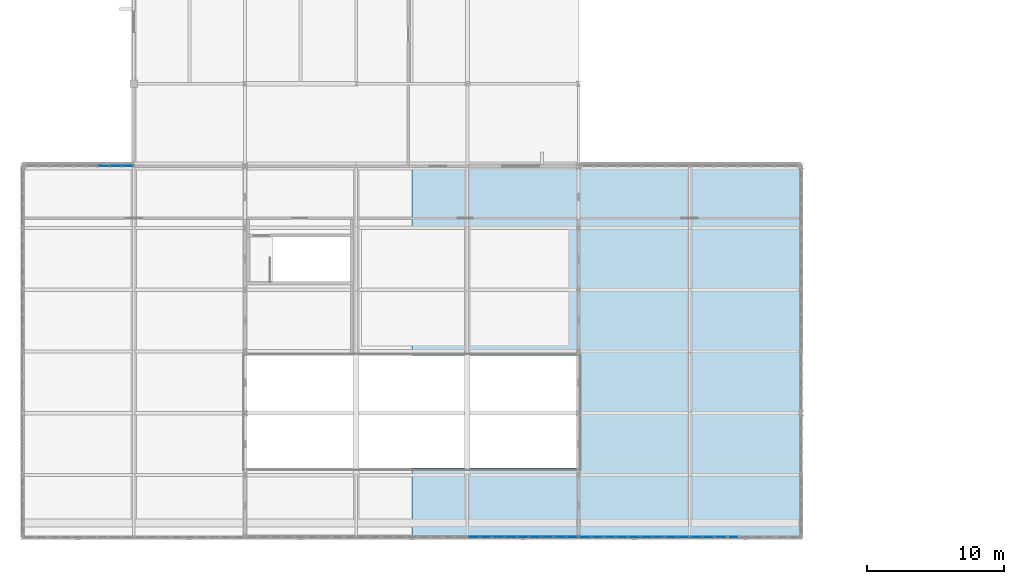
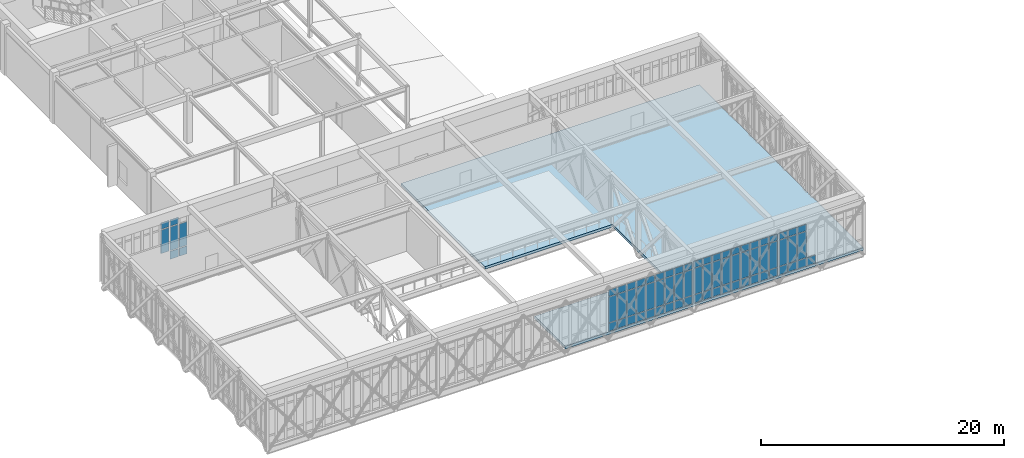
# One storey, part 43 of 70: 71 plates, 1 slab, 4 elements without a shape of their own.
"""IFC4 building model written with IfcOpenShell, lengths in metres."""

import ifcopenshell
import ifcopenshell.guid

model = None  # the IFC model being written
_history = None  # IfcOwnerHistory: only IFC2X3 demands one
_inside = {}  # id of a spatial element -> (the spatial element, [elements in it])
_under = {}  # id of a project, library or spatial element -> (it, [spatial elements below it])
_declared = {}  # id of a project -> (the project, [libraries it declares])
_typed = {}  # id of a type object -> (the type object, [elements of that type])
_made_of = {}  # id of a material, layer set ... -> (it, [elements and type objects made of it])


def new_model(schema):
    """Start an empty IFC model of exactly this schema.

    Asked for "IFC4X3", IfcOpenShell would pick the latest addendum, in which some entities
    have other attributes; the version numbers below select the first issue.
    IFC2X3 requires an IfcOwnerHistory on every rooted entity: one is made here for all.
    """
    global model, _history
    if schema == "IFC4X3":
        model = ifcopenshell.file(schema_version=(4, 3, 0, 0))
    else:
        model = ifcopenshell.file(schema=schema)
    _inside.clear()
    _under.clear()
    _declared.clear()
    _typed.clear()
    _made_of.clear()
    _history = None
    if model.schema == "IFC2X3":
        org = make("IfcOrganization", Name="unknown")
        user = make(
            "IfcPersonAndOrganization",
            ThePerson=make("IfcPerson", FamilyName="unknown"),
            TheOrganization=org,
        )
        app = make(
            "IfcApplication",
            ApplicationDeveloper=org,
            Version="unknown",
            ApplicationFullName="unknown",
            ApplicationIdentifier="unknown",
        )
        _history = make(
            "IfcOwnerHistory",
            OwningUser=user,
            OwningApplication=app,
            ChangeAction="ADDED",
            CreationDate=0,
        )
    return model


def make(cls, **values):
    """One entity of the class cls with the attributes given. An attribute that is None is left unset."""
    return model.create_entity(
        cls, **{name: value for name, value in values.items() if value is not None}
    )


def rooted(cls, **values):
    """An entity with a GlobalId (a new one), such as an element, a storey or a relation."""
    return make(cls, GlobalId=ifcopenshell.guid.new(), OwnerHistory=_history, **values)


def si_unit(unit_type, name, prefix=None):
    """IfcSIUnit, for example si_unit("LENGTHUNIT", "METRE", prefix="MILLI")."""
    return make("IfcSIUnit", UnitType=unit_type, Prefix=prefix, Name=name)


def assignment(units):
    """IfcUnitAssignment: the units of a project."""
    return None if units is None else make("IfcUnitAssignment", Units=units)


def point(xyz):
    """IfcCartesianPoint."""
    return None if xyz is None else make("IfcCartesianPoint", Coordinates=xyz)


def direction(xyz):
    """IfcDirection."""
    return None if xyz is None else make("IfcDirection", DirectionRatios=xyz)


def frame(location, z_axis=None, x_axis=None):
    """IfcAxis2Placement3D, a coordinate frame: its origin and axes. An axis left out is left unset."""
    return make(
        "IfcAxis2Placement3D",
        Location=point(location),
        Axis=direction(z_axis),
        RefDirection=direction(x_axis),
    )


def frame_2d(location, x_axis=None):
    """IfcAxis2Placement2D, a coordinate frame in the plane: its origin and x axis."""
    return make(
        "IfcAxis2Placement2D", Location=point(location), RefDirection=direction(x_axis)
    )


def origin():
    """The frame at (0, 0, 0) with its axes left unset."""
    return frame((0.0, 0.0, 0.0))


def origin_2d():
    """The frame at (0, 0) in the plane with its x axis left unset."""
    return frame_2d((0.0, 0.0))


def place(relative_to, where):
    """IfcLocalPlacement: puts the frame where relative to a parent placement (None: the world)."""
    return make(
        "IfcLocalPlacement", PlacementRelTo=relative_to, RelativePlacement=where
    )


def context(
    kind, dimensions, precision=None, world=None, true_north=None, identifier=None
):
    """IfcGeometricRepresentationContext, for example the 3D "Model" context."""
    return make(
        "IfcGeometricRepresentationContext",
        ContextIdentifier=identifier,
        ContextType=kind,
        CoordinateSpaceDimension=dimensions,
        Precision=precision,
        WorldCoordinateSystem=world,
        TrueNorth=true_north,
    )


def subcontext(parent, identifier, kind, view, scale=None):
    """IfcGeometricRepresentationSubContext, for example "Body" below "Model"."""
    return make(
        "IfcGeometricRepresentationSubContext",
        ContextIdentifier=identifier,
        ContextType=kind,
        ParentContext=parent,
        TargetScale=scale,
        TargetView=view,
    )


def project(units=None, contexts=None):
    """IfcProject with its units and contexts."""
    return rooted(
        "IfcProject",
        Name="project",
        RepresentationContexts=contexts,
        UnitsInContext=assignment(units),
    )


def spatial(cls, under=None, at=None, **own):
    """A site, building, storey or space (cls), placed at a placement, below another one or the project."""
    s = rooted(cls, ObjectPlacement=at, **own)
    if under is not None:
        _under.setdefault(under.id(), (under, []))[1].append(s)
    return s


def polyline(points):
    """IfcPolyline through the points."""
    return make("IfcPolyline", Points=[point(p) for p in points])


def profile(cls, at=None, kind="AREA", **sizes):
    """A parametric profile (cls). Its sizes go by their IFC names, for example OverallWidth=200.0."""
    return make(cls, ProfileType=kind, Position=at, **sizes)


def rectangle(**sizes):
    """IfcRectangleProfileDef."""
    return profile("IfcRectangleProfileDef", **sizes)


def outline(outer, holes=None, kind="AREA"):
    """IfcArbitraryClosedProfileDef: a profile drawn as a closed curve; with holes, ...WithVoids."""
    if holes is None:
        return make("IfcArbitraryClosedProfileDef", ProfileType=kind, OuterCurve=outer)
    return make(
        "IfcArbitraryProfileDefWithVoids",
        ProfileType=kind,
        OuterCurve=outer,
        InnerCurves=holes,
    )


def extrude(swept, where, along, depth):
    """IfcExtrudedAreaSolid: the profile swept, set in the frame where, extruded along a direction by depth."""
    return make(
        "IfcExtrudedAreaSolid",
        SweptArea=swept,
        Position=where,
        ExtrudedDirection=direction(along),
        Depth=depth,
    )


def shape(context_of_items, identifier, shape_type, items):
    """IfcShapeRepresentation: the items that make up one representation, for example the "Body"."""
    return make(
        "IfcShapeRepresentation",
        ContextOfItems=context_of_items,
        RepresentationIdentifier=identifier,
        RepresentationType=shape_type,
        Items=items,
    )


def material(Name=None, Category=None):
    """IfcMaterial."""
    return make("IfcMaterial", Name=Name, Category=Category)


def layer(
    of_material, thickness, ventilated=None, Name=None, Category=None, Priority=None
):
    """IfcMaterialLayer: one layer of a wall or slab, of a material (None: an air gap)."""
    return make(
        "IfcMaterialLayer",
        Material=of_material,
        LayerThickness=thickness,
        IsVentilated=ventilated,
        Name=Name,
        Category=Category,
        Priority=Priority,
    )


def layer_set(layers, Name=None):
    """IfcMaterialLayerSet."""
    return make("IfcMaterialLayerSet", MaterialLayers=layers, LayerSetName=Name)


def made_of(thing, what):
    """Note that an element or type object is made of a material, layer set ...; save() writes the relation."""
    if what is not None:
        _made_of.setdefault(what.id(), (what, []))[1].append(thing)
    return thing


def type_object(cls, material=None, **own):
    """A type object (cls), such as IfcWallType, which elements share."""
    return made_of(rooted(cls, **own), material)


def element(
    cls,
    number,
    at=None,
    inside=None,
    cuts=None,
    type_object=None,
    material=None,
    context=None,
    identifier="Body",
    shape_type=None,
    held_by="IfcProductDefinitionShape",
    body=None,
    shapes=None,
    **own,
):
    """One element of the class cls, such as IfcWall. Its Tag is "e" and its number.

    at: its placement. inside: the storey or other place that contains it. cuts: it is an
    opening in that element (IfcRelVoidsElement). A single representation is given by context,
    identifier, shape_type and body (its items); several are given by shapes. held_by: the class
    of the entity that holds the representations. save() writes the other relations.
    """
    e = rooted(cls, Tag="e%d" % number, ObjectPlacement=at, **own)
    if body is not None:
        shapes = [shape(context, identifier, shape_type, body)]
    if shapes is not None:
        e.Representation = make(held_by, Representations=shapes)
    if inside is not None:
        _inside.setdefault(inside.id(), (inside, []))[1].append(e)
    if cuts is not None:
        rooted(
            "IfcRelVoidsElement", RelatingBuildingElement=cuts, RelatedOpeningElement=e
        )
    if type_object is not None:
        _typed.setdefault(type_object.id(), (type_object, []))[1].append(e)
    return made_of(e, material)


def aggregate(whole, parts):
    """IfcRelAggregates: a whole, such as a stair, and the parts it consists of."""
    return rooted("IfcRelAggregates", RelatingObject=whole, RelatedObjects=parts)


def save(model, path):
    """Write the relations noted so far, then the file.

    IfcRelAggregates (storeys below a building ...), IfcRelContainedInSpatialStructure (elements
    in a storey), IfcRelDefinesByType, IfcRelAssociatesMaterial and IfcRelDeclares: one each for
    every whole, place, type object, material and project.
    """
    for whole, parts in _under.values():
        aggregate(whole, parts)
    for where, things in _inside.values():
        rooted(
            "IfcRelContainedInSpatialStructure",
            RelatedElements=things,
            RelatingStructure=where,
        )
    for kind, things in _typed.values():
        rooted("IfcRelDefinesByType", RelatedObjects=things, RelatingType=kind)
    for what, things in _made_of.values():
        rooted("IfcRelAssociatesMaterial", RelatedObjects=things, RelatingMaterial=what)
    for by, libraries in _declared.values():
        rooted("IfcRelDeclares", RelatingContext=by, RelatedDefinitions=libraries)
    model.write(path)


model = new_model("IFC4")

# Units and contexts
model_context = context("Model", 3, precision=1e-05, world=origin(), true_north=direction((0.0, 1.0)))
body_context = subcontext(model_context, "Body", "Model", "MODEL_VIEW")
ifc_project = project(units=[si_unit("LENGTHUNIT", "METRE"), si_unit("AREAUNIT", "SQUARE_METRE"), si_unit("VOLUMEUNIT", "CUBIC_METRE"), si_unit("PLANEANGLEUNIT", "RADIAN"), si_unit("MASSUNIT", "GRAM", prefix="KILO")], contexts=[model_context])

# Site, building, storey
site_placement = place(None, origin())
site = spatial("IfcSite", under=ifc_project, at=site_placement, CompositionType="ELEMENT")
building_placement = place(site_placement, origin())
building = spatial("IfcBuilding", under=site, at=building_placement, Name="Tarnveldt Square Police Headquarters", CompositionType="ELEMENT")
storey_placement = place(building_placement, frame((0.0, 0.0, 19.800048828125)))
storey = spatial("IfcBuildingStorey", under=building, at=storey_placement, Name="L04", CompositionType="ELEMENT", Elevation=19.800048828125)

# Curtain wall, plates
ifc_material_1 = material(Name="UL 752 Level III laminated ballistic vision glass", Category="glass")
curtain_wall_type_1 = type_object("IfcCurtainWallType", Name="CW-BL-810x429", PredefinedType="USERDEFINED", material=ifc_material_1)
curtain_wall_1_placement = place(storey_placement, origin())
curtain_wall_1 = element("IfcCurtainWall", 1, at=curtain_wall_1_placement, inside=storey, type_object=curtain_wall_type_1, Name="L04 Curtain Wall CW-L04-044", ObjectType="BALLISTIC CURTAIN WALL", PredefinedType="USERDEFINED")
ifc_layer_1 = layer(ifc_material_1, 0.0380859375)
ifc_layer_set_1 = layer_set([ifc_layer_1], Name="UL 752 Level III laminated ballistic vision glass")
plate_type = type_object("IfcPlateType", Name="CWP-BAL-38", PredefinedType="CURTAIN_PANEL", material=ifc_layer_set_1)
plate_1_placement = place(storey_placement, frame((40.97119140625, 7.0, 0.074951171875), z_axis=(0.0, 0.0, 1.0), x_axis=(1.0, 0.0, 0.0)))
plate_1 = element("IfcPlate", 2, at=plate_1_placement, type_object=plate_type, Name="CW-BL18 panel 1.1", PredefinedType="CURTAIN_PANEL", context=body_context, shape_type="SweptSolid", body=[
    extrude(rectangle(XDim=0.7724609375, YDim=0.0380859375, at=origin_2d()), origin(), (0.0, 0.0, 1.0), 0.78759765625),
])
plate_2_placement = place(storey_placement, frame((40.97119140625, 7.0, 0.9375), z_axis=(0.0, 0.0, 1.0), x_axis=(1.0, 0.0, 0.0)))
plate_2 = element("IfcPlate", 3, at=plate_2_placement, type_object=plate_type, Name="CW-BL18 panel 1.2", PredefinedType="CURTAIN_PANEL", context=body_context, shape_type="SweptSolid", body=[
    extrude(rectangle(XDim=0.7724609375, YDim=0.0380859375, at=origin_2d()), origin(), (0.0, 0.0, 1.0), 2.5634765625),
])
plate_3_placement = place(storey_placement, frame((40.97119140625, 7.0, 3.576171875), z_axis=(0.0, 0.0, 1.0), x_axis=(1.0, 0.0, 0.0)))
plate_3 = element("IfcPlate", 4, at=plate_3_placement, type_object=plate_type, Name="CW-BL18 panel 1.3", PredefinedType="CURTAIN_PANEL", context=body_context, shape_type="SweptSolid", body=[
    extrude(rectangle(XDim=0.7724609375, YDim=0.0380859375, at=origin_2d()), origin(), (0.0, 0.0, 1.0), 0.637451171875),
])
plate_4_placement = place(storey_placement, frame((41.85009765625, 7.0, 0.074951171875), z_axis=(0.0, 0.0, 1.0), x_axis=(1.0, 0.0, 0.0)))
plate_4 = element("IfcPlate", 5, at=plate_4_placement, type_object=plate_type, Name="CW-BL18 panel 2.1", PredefinedType="CURTAIN_PANEL", context=body_context, shape_type="SweptSolid", body=[
    extrude(rectangle(XDim=0.81494140625, YDim=0.0380859375, at=origin_2d()), origin(), (0.0, 0.0, 1.0), 0.78759765625),
])
plate_5_placement = place(storey_placement, frame((41.85009765625, 7.0, 0.9375), z_axis=(0.0, 0.0, 1.0), x_axis=(1.0, 0.0, 0.0)))
plate_5 = element("IfcPlate", 6, at=plate_5_placement, type_object=plate_type, Name="CW-BL18 panel 2.2", PredefinedType="CURTAIN_PANEL", context=body_context, shape_type="SweptSolid", body=[
    extrude(rectangle(XDim=0.81494140625, YDim=0.0380859375, at=origin_2d()), origin(), (0.0, 0.0, 1.0), 2.5634765625),
])
plate_6_placement = place(storey_placement, frame((41.85009765625, 7.0, 3.576171875), z_axis=(0.0, 0.0, 1.0), x_axis=(1.0, 0.0, 0.0)))
plate_6 = element("IfcPlate", 7, at=plate_6_placement, type_object=plate_type, Name="CW-BL18 panel 2.3", PredefinedType="CURTAIN_PANEL", context=body_context, shape_type="SweptSolid", body=[
    extrude(rectangle(XDim=0.81494140625, YDim=0.0380859375, at=origin_2d()), origin(), (0.0, 0.0, 1.0), 0.637451171875),
])
plate_7_placement = place(storey_placement, frame((42.75, 7.0, 0.074951171875), z_axis=(0.0, 0.0, 1.0), x_axis=(1.0, 0.0, 0.0)))
plate_7 = element("IfcPlate", 8, at=plate_7_placement, type_object=plate_type, Name="CW-BL18 panel 3.1", PredefinedType="CURTAIN_PANEL", context=body_context, shape_type="SweptSolid", body=[
    extrude(rectangle(XDim=0.81494140625, YDim=0.0380859375, at=origin_2d()), origin(), (0.0, 0.0, 1.0), 0.78759765625),
])
plate_8_placement = place(storey_placement, frame((42.75, 7.0, 0.9375), z_axis=(0.0, 0.0, 1.0), x_axis=(1.0, 0.0, 0.0)))
plate_8 = element("IfcPlate", 9, at=plate_8_placement, type_object=plate_type, Name="CW-BL18 panel 3.2", PredefinedType="CURTAIN_PANEL", context=body_context, shape_type="SweptSolid", body=[
    extrude(rectangle(XDim=0.81494140625, YDim=0.0380859375, at=origin_2d()), origin(), (0.0, 0.0, 1.0), 2.5634765625),
])
plate_9_placement = place(storey_placement, frame((42.75, 7.0, 3.576171875), z_axis=(0.0, 0.0, 1.0), x_axis=(1.0, 0.0, 0.0)))
plate_9 = element("IfcPlate", 10, at=plate_9_placement, type_object=plate_type, Name="CW-BL18 panel 3.3", PredefinedType="CURTAIN_PANEL", context=body_context, shape_type="SweptSolid", body=[
    extrude(rectangle(XDim=0.81494140625, YDim=0.0380859375, at=origin_2d()), origin(), (0.0, 0.0, 1.0), 0.637451171875),
])
plate_10_placement = place(storey_placement, frame((43.64990234375, 7.0, 0.074951171875), z_axis=(0.0, 0.0, 1.0), x_axis=(1.0, 0.0, 0.0)))
plate_10 = element("IfcPlate", 11, at=plate_10_placement, type_object=plate_type, Name="CW-BL18 panel 4.1", PredefinedType="CURTAIN_PANEL", context=body_context, shape_type="SweptSolid", body=[
    extrude(rectangle(XDim=0.81494140625, YDim=0.0380859375, at=origin_2d()), origin(), (0.0, 0.0, 1.0), 0.78759765625),
])
plate_11_placement = place(storey_placement, frame((43.64990234375, 7.0, 0.9375), z_axis=(0.0, 0.0, 1.0), x_axis=(1.0, 0.0, 0.0)))
plate_11 = element("IfcPlate", 12, at=plate_11_placement, type_object=plate_type, Name="CW-BL18 panel 4.2", PredefinedType="CURTAIN_PANEL", context=body_context, shape_type="SweptSolid", body=[
    extrude(rectangle(XDim=0.81494140625, YDim=0.0380859375, at=origin_2d()), origin(), (0.0, 0.0, 1.0), 2.5634765625),
])
plate_12_placement = place(storey_placement, frame((43.64990234375, 7.0, 3.576171875), z_axis=(0.0, 0.0, 1.0), x_axis=(1.0, 0.0, 0.0)))
plate_12 = element("IfcPlate", 13, at=plate_12_placement, type_object=plate_type, Name="CW-BL18 panel 4.3", PredefinedType="CURTAIN_PANEL", context=body_context, shape_type="SweptSolid", body=[
    extrude(rectangle(XDim=0.81494140625, YDim=0.0380859375, at=origin_2d()), origin(), (0.0, 0.0, 1.0), 0.637451171875),
])
plate_13_placement = place(storey_placement, frame((44.550048828125, 7.0, 0.074951171875), z_axis=(0.0, 0.0, 1.0), x_axis=(1.0, 0.0, 0.0)))
plate_13 = element("IfcPlate", 14, at=plate_13_placement, type_object=plate_type, Name="CW-BL18 panel 5.1", PredefinedType="CURTAIN_PANEL", context=body_context, shape_type="SweptSolid", body=[
    extrude(rectangle(XDim=0.81494140625, YDim=0.0380859375, at=origin_2d()), origin(), (0.0, 0.0, 1.0), 0.78759765625),
])
plate_14_placement = place(storey_placement, frame((44.550048828125, 7.0, 0.9375), z_axis=(0.0, 0.0, 1.0), x_axis=(1.0, 0.0, 0.0)))
plate_14 = element("IfcPlate", 15, at=plate_14_placement, type_object=plate_type, Name="CW-BL18 panel 5.2", PredefinedType="CURTAIN_PANEL", context=body_context, shape_type="SweptSolid", body=[
    extrude(rectangle(XDim=0.81494140625, YDim=0.0380859375, at=origin_2d()), origin(), (0.0, 0.0, 1.0), 2.5634765625),
])
plate_15_placement = place(storey_placement, frame((44.550048828125, 7.0, 3.576171875), z_axis=(0.0, 0.0, 1.0), x_axis=(1.0, 0.0, 0.0)))
plate_15 = element("IfcPlate", 16, at=plate_15_placement, type_object=plate_type, Name="CW-BL18 panel 5.3", PredefinedType="CURTAIN_PANEL", context=body_context, shape_type="SweptSolid", body=[
    extrude(rectangle(XDim=0.81494140625, YDim=0.0380859375, at=origin_2d()), origin(), (0.0, 0.0, 1.0), 0.637451171875),
])
plate_16_placement = place(storey_placement, frame((45.449951171875, 7.0, 0.074951171875), z_axis=(0.0, 0.0, 1.0), x_axis=(1.0, 0.0, 0.0)))
plate_16 = element("IfcPlate", 17, at=plate_16_placement, type_object=plate_type, Name="CW-BL18 panel 6.1", PredefinedType="CURTAIN_PANEL", context=body_context, shape_type="SweptSolid", body=[
    extrude(rectangle(XDim=0.81494140625, YDim=0.0380859375, at=origin_2d()), origin(), (0.0, 0.0, 1.0), 0.78759765625),
])
plate_17_placement = place(storey_placement, frame((45.449951171875, 7.0, 0.9375), z_axis=(0.0, 0.0, 1.0), x_axis=(1.0, 0.0, 0.0)))
plate_17 = element("IfcPlate", 18, at=plate_17_placement, type_object=plate_type, Name="CW-BL18 panel 6.2", PredefinedType="CURTAIN_PANEL", context=body_context, shape_type="SweptSolid", body=[
    extrude(rectangle(XDim=0.81494140625, YDim=0.0380859375, at=origin_2d()), origin(), (0.0, 0.0, 1.0), 2.5634765625),
])
plate_18_placement = place(storey_placement, frame((45.449951171875, 7.0, 3.576171875), z_axis=(0.0, 0.0, 1.0), x_axis=(1.0, 0.0, 0.0)))
plate_18 = element("IfcPlate", 19, at=plate_18_placement, type_object=plate_type, Name="CW-BL18 panel 6.3", PredefinedType="CURTAIN_PANEL", context=body_context, shape_type="SweptSolid", body=[
    extrude(rectangle(XDim=0.81494140625, YDim=0.0380859375, at=origin_2d()), origin(), (0.0, 0.0, 1.0), 0.637451171875),
])
plate_19_placement = place(storey_placement, frame((46.35009765625, 7.0, 0.074951171875), z_axis=(0.0, 0.0, 1.0), x_axis=(1.0, 0.0, 0.0)))
plate_19 = element("IfcPlate", 20, at=plate_19_placement, type_object=plate_type, Name="CW-BL18 panel 7.1", PredefinedType="CURTAIN_PANEL", context=body_context, shape_type="SweptSolid", body=[
    extrude(rectangle(XDim=0.81494140625, YDim=0.0380859375, at=origin_2d()), origin(), (0.0, 0.0, 1.0), 0.78759765625),
])
plate_20_placement = place(storey_placement, frame((46.35009765625, 7.0, 0.9375), z_axis=(0.0, 0.0, 1.0), x_axis=(1.0, 0.0, 0.0)))
plate_20 = element("IfcPlate", 21, at=plate_20_placement, type_object=plate_type, Name="CW-BL18 panel 7.2", PredefinedType="CURTAIN_PANEL", context=body_context, shape_type="SweptSolid", body=[
    extrude(rectangle(XDim=0.81494140625, YDim=0.0380859375, at=origin_2d()), origin(), (0.0, 0.0, 1.0), 2.5634765625),
])
plate_21_placement = place(storey_placement, frame((46.35009765625, 7.0, 3.576171875), z_axis=(0.0, 0.0, 1.0), x_axis=(1.0, 0.0, 0.0)))
plate_21 = element("IfcPlate", 22, at=plate_21_placement, type_object=plate_type, Name="CW-BL18 panel 7.3", PredefinedType="CURTAIN_PANEL", context=body_context, shape_type="SweptSolid", body=[
    extrude(rectangle(XDim=0.81494140625, YDim=0.0380859375, at=origin_2d()), origin(), (0.0, 0.0, 1.0), 0.637451171875),
])
plate_22_placement = place(storey_placement, frame((47.25, 7.0, 0.074951171875), z_axis=(0.0, 0.0, 1.0), x_axis=(1.0, 0.0, 0.0)))
plate_22 = element("IfcPlate", 23, at=plate_22_placement, type_object=plate_type, Name="CW-BL18 panel 8.1", PredefinedType="CURTAIN_PANEL", context=body_context, shape_type="SweptSolid", body=[
    extrude(rectangle(XDim=0.81494140625, YDim=0.0380859375, at=origin_2d()), origin(), (0.0, 0.0, 1.0), 0.78759765625),
])
plate_23_placement = place(storey_placement, frame((47.25, 7.0, 0.9375), z_axis=(0.0, 0.0, 1.0), x_axis=(1.0, 0.0, 0.0)))
plate_23 = element("IfcPlate", 24, at=plate_23_placement, type_object=plate_type, Name="CW-BL18 panel 8.2", PredefinedType="CURTAIN_PANEL", context=body_context, shape_type="SweptSolid", body=[
    extrude(rectangle(XDim=0.81494140625, YDim=0.0380859375, at=origin_2d()), origin(), (0.0, 0.0, 1.0), 2.5634765625),
])
plate_24_placement = place(storey_placement, frame((47.25, 7.0, 3.576171875), z_axis=(0.0, 0.0, 1.0), x_axis=(1.0, 0.0, 0.0)))
plate_24 = element("IfcPlate", 25, at=plate_24_placement, type_object=plate_type, Name="CW-BL18 panel 8.3", PredefinedType="CURTAIN_PANEL", context=body_context, shape_type="SweptSolid", body=[
    extrude(rectangle(XDim=0.81494140625, YDim=0.0380859375, at=origin_2d()), origin(), (0.0, 0.0, 1.0), 0.637451171875),
])
plate_25_placement = place(storey_placement, frame((48.128662109375, 7.0, 0.074951171875), z_axis=(0.0, 0.0, 1.0), x_axis=(1.0, 0.0, 0.0)))
plate_25 = element("IfcPlate", 26, at=plate_25_placement, type_object=plate_type, Name="CW-BL18 panel 9.1", PredefinedType="CURTAIN_PANEL", context=body_context, shape_type="SweptSolid", body=[
    extrude(rectangle(XDim=0.7724609375, YDim=0.0380859375, at=origin_2d()), origin(), (0.0, 0.0, 1.0), 0.78759765625),
])
plate_26_placement = place(storey_placement, frame((48.128662109375, 7.0, 0.9375), z_axis=(0.0, 0.0, 1.0), x_axis=(1.0, 0.0, 0.0)))
plate_26 = element("IfcPlate", 27, at=plate_26_placement, type_object=plate_type, Name="CW-BL18 panel 9.2", PredefinedType="CURTAIN_PANEL", context=body_context, shape_type="SweptSolid", body=[
    extrude(rectangle(XDim=0.7724609375, YDim=0.0380859375, at=origin_2d()), origin(), (0.0, 0.0, 1.0), 2.5634765625),
])
plate_27_placement = place(storey_placement, frame((48.128662109375, 7.0, 3.576171875), z_axis=(0.0, 0.0, 1.0), x_axis=(1.0, 0.0, 0.0)))
plate_27 = element("IfcPlate", 28, at=plate_27_placement, type_object=plate_type, Name="CW-BL18 panel 9.3", PredefinedType="CURTAIN_PANEL", context=body_context, shape_type="SweptSolid", body=[
    extrude(rectangle(XDim=0.7724609375, YDim=0.0380859375, at=origin_2d()), origin(), (0.0, 0.0, 1.0), 0.637451171875),
])
aggregate(curtain_wall_1, [plate_1, plate_2, plate_3, plate_4, plate_5, plate_6, plate_7, plate_8, plate_9, plate_10, plate_11, plate_12, plate_13, plate_14, plate_15, plate_16, plate_17, plate_18, plate_19, plate_20, plate_21, plate_22, plate_23, plate_24, plate_25, plate_26, plate_27])

curtain_wall_type_2 = type_object("IfcCurtainWallType", Name="CW-BL-810x433", PredefinedType="USERDEFINED", material=ifc_material_1)
curtain_wall_2_placement = place(storey_placement, origin())
curtain_wall_2 = element("IfcCurtainWall", 29, at=curtain_wall_2_placement, inside=storey, type_object=curtain_wall_type_2, Name="L04 Curtain Wall CW-L04-045", ObjectType="BALLISTIC CURTAIN WALL", PredefinedType="USERDEFINED")
plate_28_placement = place(storey_placement, frame((49.0712890625, 7.0, 0.074951171875), z_axis=(0.0, 0.0, 1.0), x_axis=(1.0, 0.0, 0.0)))
plate_28 = element("IfcPlate", 30, at=plate_28_placement, type_object=plate_type, Name="CW-BL17 panel 1.1", PredefinedType="CURTAIN_PANEL", context=body_context, shape_type="SweptSolid", body=[
    extrude(rectangle(XDim=0.7724609375, YDim=0.0380859375, at=origin_2d()), origin(), (0.0, 0.0, 1.0), 0.78759765625),
])
plate_29_placement = place(storey_placement, frame((49.0712890625, 7.0, 0.9375), z_axis=(0.0, 0.0, 1.0), x_axis=(1.0, 0.0, 0.0)))
plate_29 = element("IfcPlate", 31, at=plate_29_placement, type_object=plate_type, Name="CW-BL17 panel 1.2", PredefinedType="CURTAIN_PANEL", context=body_context, shape_type="SweptSolid", body=[
    extrude(rectangle(XDim=0.7724609375, YDim=0.0380859375, at=origin_2d()), origin(), (0.0, 0.0, 1.0), 2.6015625),
])
plate_30_placement = place(storey_placement, frame((49.0712890625, 7.0, 3.61376953125), z_axis=(0.0, 0.0, 1.0), x_axis=(1.0, 0.0, 0.0)))
plate_30 = element("IfcPlate", 32, at=plate_30_placement, type_object=plate_type, Name="CW-BL17 panel 1.3", PredefinedType="CURTAIN_PANEL", context=body_context, shape_type="SweptSolid", body=[
    extrude(rectangle(XDim=0.7724609375, YDim=0.0380859375, at=origin_2d()), origin(), (0.0, 0.0, 1.0), 0.637451171875),
])
plate_31_placement = place(storey_placement, frame((49.949951171875, 7.0, 0.074951171875), z_axis=(0.0, 0.0, 1.0), x_axis=(1.0, 0.0, 0.0)))
plate_31 = element("IfcPlate", 33, at=plate_31_placement, type_object=plate_type, Name="CW-BL17 panel 2.1", PredefinedType="CURTAIN_PANEL", context=body_context, shape_type="SweptSolid", body=[
    extrude(rectangle(XDim=0.81494140625, YDim=0.0380859375, at=origin_2d()), origin(), (0.0, 0.0, 1.0), 0.78759765625),
])
plate_32_placement = place(storey_placement, frame((49.949951171875, 7.0, 0.9375), z_axis=(0.0, 0.0, 1.0), x_axis=(1.0, 0.0, 0.0)))
plate_32 = element("IfcPlate", 34, at=plate_32_placement, type_object=plate_type, Name="CW-BL17 panel 2.2", PredefinedType="CURTAIN_PANEL", context=body_context, shape_type="SweptSolid", body=[
    extrude(rectangle(XDim=0.81494140625, YDim=0.0380859375, at=origin_2d()), origin(), (0.0, 0.0, 1.0), 2.6015625),
])
plate_33_placement = place(storey_placement, frame((49.949951171875, 7.0, 3.61376953125), z_axis=(0.0, 0.0, 1.0), x_axis=(1.0, 0.0, 0.0)))
plate_33 = element("IfcPlate", 35, at=plate_33_placement, type_object=plate_type, Name="CW-BL17 panel 2.3", PredefinedType="CURTAIN_PANEL", context=body_context, shape_type="SweptSolid", body=[
    extrude(rectangle(XDim=0.81494140625, YDim=0.0380859375, at=origin_2d()), origin(), (0.0, 0.0, 1.0), 0.637451171875),
])
plate_34_placement = place(storey_placement, frame((50.85009765625, 7.0, 0.074951171875), z_axis=(0.0, 0.0, 1.0), x_axis=(1.0, 0.0, 0.0)))
plate_34 = element("IfcPlate", 36, at=plate_34_placement, type_object=plate_type, Name="CW-BL17 panel 3.1", PredefinedType="CURTAIN_PANEL", context=body_context, shape_type="SweptSolid", body=[
    extrude(rectangle(XDim=0.81494140625, YDim=0.0380859375, at=origin_2d()), origin(), (0.0, 0.0, 1.0), 0.78759765625),
])
plate_35_placement = place(storey_placement, frame((50.85009765625, 7.0, 0.9375), z_axis=(0.0, 0.0, 1.0), x_axis=(1.0, 0.0, 0.0)))
plate_35 = element("IfcPlate", 37, at=plate_35_placement, type_object=plate_type, Name="CW-BL17 panel 3.2", PredefinedType="CURTAIN_PANEL", context=body_context, shape_type="SweptSolid", body=[
    extrude(rectangle(XDim=0.81494140625, YDim=0.0380859375, at=origin_2d()), origin(), (0.0, 0.0, 1.0), 2.6015625),
])
plate_36_placement = place(storey_placement, frame((50.85009765625, 7.0, 3.61376953125), z_axis=(0.0, 0.0, 1.0), x_axis=(1.0, 0.0, 0.0)))
plate_36 = element("IfcPlate", 38, at=plate_36_placement, type_object=plate_type, Name="CW-BL17 panel 3.3", PredefinedType="CURTAIN_PANEL", context=body_context, shape_type="SweptSolid", body=[
    extrude(rectangle(XDim=0.81494140625, YDim=0.0380859375, at=origin_2d()), origin(), (0.0, 0.0, 1.0), 0.637451171875),
])
plate_37_placement = place(storey_placement, frame((51.75, 7.0, 0.074951171875), z_axis=(0.0, 0.0, 1.0), x_axis=(1.0, 0.0, 0.0)))
plate_37 = element("IfcPlate", 39, at=plate_37_placement, type_object=plate_type, Name="CW-BL17 panel 4.1", PredefinedType="CURTAIN_PANEL", context=body_context, shape_type="SweptSolid", body=[
    extrude(rectangle(XDim=0.81494140625, YDim=0.0380859375, at=origin_2d()), origin(), (0.0, 0.0, 1.0), 0.78759765625),
])
plate_38_placement = place(storey_placement, frame((51.75, 7.0, 0.9375), z_axis=(0.0, 0.0, 1.0), x_axis=(1.0, 0.0, 0.0)))
plate_38 = element("IfcPlate", 40, at=plate_38_placement, type_object=plate_type, Name="CW-BL17 panel 4.2", PredefinedType="CURTAIN_PANEL", context=body_context, shape_type="SweptSolid", body=[
    extrude(rectangle(XDim=0.81494140625, YDim=0.0380859375, at=origin_2d()), origin(), (0.0, 0.0, 1.0), 2.6015625),
])
plate_39_placement = place(storey_placement, frame((51.75, 7.0, 3.61376953125), z_axis=(0.0, 0.0, 1.0), x_axis=(1.0, 0.0, 0.0)))
plate_39 = element("IfcPlate", 41, at=plate_39_placement, type_object=plate_type, Name="CW-BL17 panel 4.3", PredefinedType="CURTAIN_PANEL", context=body_context, shape_type="SweptSolid", body=[
    extrude(rectangle(XDim=0.81494140625, YDim=0.0380859375, at=origin_2d()), origin(), (0.0, 0.0, 1.0), 0.637451171875),
])
plate_40_placement = place(storey_placement, frame((52.64990234375, 7.0, 0.074951171875), z_axis=(0.0, 0.0, 1.0), x_axis=(1.0, 0.0, 0.0)))
plate_40 = element("IfcPlate", 42, at=plate_40_placement, type_object=plate_type, Name="CW-BL17 panel 5.1", PredefinedType="CURTAIN_PANEL", context=body_context, shape_type="SweptSolid", body=[
    extrude(rectangle(XDim=0.81494140625, YDim=0.0380859375, at=origin_2d()), origin(), (0.0, 0.0, 1.0), 0.78759765625),
])
plate_41_placement = place(storey_placement, frame((52.64990234375, 7.0, 0.9375), z_axis=(0.0, 0.0, 1.0), x_axis=(1.0, 0.0, 0.0)))
plate_41 = element("IfcPlate", 43, at=plate_41_placement, type_object=plate_type, Name="CW-BL17 panel 5.2", PredefinedType="CURTAIN_PANEL", context=body_context, shape_type="SweptSolid", body=[
    extrude(rectangle(XDim=0.81494140625, YDim=0.0380859375, at=origin_2d()), origin(), (0.0, 0.0, 1.0), 2.6015625),
])
plate_42_placement = place(storey_placement, frame((52.64990234375, 7.0, 3.61376953125), z_axis=(0.0, 0.0, 1.0), x_axis=(1.0, 0.0, 0.0)))
plate_42 = element("IfcPlate", 44, at=plate_42_placement, type_object=plate_type, Name="CW-BL17 panel 5.3", PredefinedType="CURTAIN_PANEL", context=body_context, shape_type="SweptSolid", body=[
    extrude(rectangle(XDim=0.81494140625, YDim=0.0380859375, at=origin_2d()), origin(), (0.0, 0.0, 1.0), 0.637451171875),
])
plate_43_placement = place(storey_placement, frame((53.550048828125, 7.0, 0.074951171875), z_axis=(0.0, 0.0, 1.0), x_axis=(1.0, 0.0, 0.0)))
plate_43 = element("IfcPlate", 45, at=plate_43_placement, type_object=plate_type, Name="CW-BL17 panel 6.1", PredefinedType="CURTAIN_PANEL", context=body_context, shape_type="SweptSolid", body=[
    extrude(rectangle(XDim=0.81494140625, YDim=0.0380859375, at=origin_2d()), origin(), (0.0, 0.0, 1.0), 0.78759765625),
])
plate_44_placement = place(storey_placement, frame((53.550048828125, 7.0, 0.9375), z_axis=(0.0, 0.0, 1.0), x_axis=(1.0, 0.0, 0.0)))
plate_44 = element("IfcPlate", 46, at=plate_44_placement, type_object=plate_type, Name="CW-BL17 panel 6.2", PredefinedType="CURTAIN_PANEL", context=body_context, shape_type="SweptSolid", body=[
    extrude(rectangle(XDim=0.81494140625, YDim=0.0380859375, at=origin_2d()), origin(), (0.0, 0.0, 1.0), 2.6015625),
])
plate_45_placement = place(storey_placement, frame((53.550048828125, 7.0, 3.61376953125), z_axis=(0.0, 0.0, 1.0), x_axis=(1.0, 0.0, 0.0)))
plate_45 = element("IfcPlate", 47, at=plate_45_placement, type_object=plate_type, Name="CW-BL17 panel 6.3", PredefinedType="CURTAIN_PANEL", context=body_context, shape_type="SweptSolid", body=[
    extrude(rectangle(XDim=0.81494140625, YDim=0.0380859375, at=origin_2d()), origin(), (0.0, 0.0, 1.0), 0.637451171875),
])
plate_46_placement = place(storey_placement, frame((54.449951171875, 7.0, 0.074951171875), z_axis=(0.0, 0.0, 1.0), x_axis=(1.0, 0.0, 0.0)))
plate_46 = element("IfcPlate", 48, at=plate_46_placement, type_object=plate_type, Name="CW-BL17 panel 7.1", PredefinedType="CURTAIN_PANEL", context=body_context, shape_type="SweptSolid", body=[
    extrude(rectangle(XDim=0.81494140625, YDim=0.0380859375, at=origin_2d()), origin(), (0.0, 0.0, 1.0), 0.78759765625),
])
plate_47_placement = place(storey_placement, frame((54.449951171875, 7.0, 0.9375), z_axis=(0.0, 0.0, 1.0), x_axis=(1.0, 0.0, 0.0)))
plate_47 = element("IfcPlate", 49, at=plate_47_placement, type_object=plate_type, Name="CW-BL17 panel 7.2", PredefinedType="CURTAIN_PANEL", context=body_context, shape_type="SweptSolid", body=[
    extrude(rectangle(XDim=0.81494140625, YDim=0.0380859375, at=origin_2d()), origin(), (0.0, 0.0, 1.0), 2.6015625),
])
plate_48_placement = place(storey_placement, frame((54.449951171875, 7.0, 3.61376953125), z_axis=(0.0, 0.0, 1.0), x_axis=(1.0, 0.0, 0.0)))
plate_48 = element("IfcPlate", 50, at=plate_48_placement, type_object=plate_type, Name="CW-BL17 panel 7.3", PredefinedType="CURTAIN_PANEL", context=body_context, shape_type="SweptSolid", body=[
    extrude(rectangle(XDim=0.81494140625, YDim=0.0380859375, at=origin_2d()), origin(), (0.0, 0.0, 1.0), 0.637451171875),
])
plate_49_placement = place(storey_placement, frame((55.35009765625, 7.0, 0.074951171875), z_axis=(0.0, 0.0, 1.0), x_axis=(1.0, 0.0, 0.0)))
plate_49 = element("IfcPlate", 51, at=plate_49_placement, type_object=plate_type, Name="CW-BL17 panel 8.1", PredefinedType="CURTAIN_PANEL", context=body_context, shape_type="SweptSolid", body=[
    extrude(rectangle(XDim=0.81494140625, YDim=0.0380859375, at=origin_2d()), origin(), (0.0, 0.0, 1.0), 0.78759765625),
])
plate_50_placement = place(storey_placement, frame((55.35009765625, 7.0, 0.9375), z_axis=(0.0, 0.0, 1.0), x_axis=(1.0, 0.0, 0.0)))
plate_50 = element("IfcPlate", 52, at=plate_50_placement, type_object=plate_type, Name="CW-BL17 panel 8.2", PredefinedType="CURTAIN_PANEL", context=body_context, shape_type="SweptSolid", body=[
    extrude(rectangle(XDim=0.81494140625, YDim=0.0380859375, at=origin_2d()), origin(), (0.0, 0.0, 1.0), 2.6015625),
])
plate_51_placement = place(storey_placement, frame((55.35009765625, 7.0, 3.61376953125), z_axis=(0.0, 0.0, 1.0), x_axis=(1.0, 0.0, 0.0)))
plate_51 = element("IfcPlate", 53, at=plate_51_placement, type_object=plate_type, Name="CW-BL17 panel 8.3", PredefinedType="CURTAIN_PANEL", context=body_context, shape_type="SweptSolid", body=[
    extrude(rectangle(XDim=0.81494140625, YDim=0.0380859375, at=origin_2d()), origin(), (0.0, 0.0, 1.0), 0.637451171875),
])
plate_52_placement = place(storey_placement, frame((56.228759765625, 7.0, 0.074951171875), z_axis=(0.0, 0.0, 1.0), x_axis=(1.0, 0.0, 0.0)))
plate_52 = element("IfcPlate", 54, at=plate_52_placement, type_object=plate_type, Name="CW-BL17 panel 9.1", PredefinedType="CURTAIN_PANEL", context=body_context, shape_type="SweptSolid", body=[
    extrude(rectangle(XDim=0.7724609375, YDim=0.0380859375, at=origin_2d()), origin(), (0.0, 0.0, 1.0), 0.78759765625),
])
plate_53_placement = place(storey_placement, frame((56.228759765625, 7.0, 0.9375), z_axis=(0.0, 0.0, 1.0), x_axis=(1.0, 0.0, 0.0)))
plate_53 = element("IfcPlate", 55, at=plate_53_placement, type_object=plate_type, Name="CW-BL17 panel 9.2", PredefinedType="CURTAIN_PANEL", context=body_context, shape_type="SweptSolid", body=[
    extrude(rectangle(XDim=0.7724609375, YDim=0.0380859375, at=origin_2d()), origin(), (0.0, 0.0, 1.0), 2.6015625),
])
plate_54_placement = place(storey_placement, frame((56.228759765625, 7.0, 3.61376953125), z_axis=(0.0, 0.0, 1.0), x_axis=(1.0, 0.0, 0.0)))
plate_54 = element("IfcPlate", 56, at=plate_54_placement, type_object=plate_type, Name="CW-BL17 panel 9.3", PredefinedType="CURTAIN_PANEL", context=body_context, shape_type="SweptSolid", body=[
    extrude(rectangle(XDim=0.7724609375, YDim=0.0380859375, at=origin_2d()), origin(), (0.0, 0.0, 1.0), 0.637451171875),
])
aggregate(curtain_wall_2, [plate_28, plate_29, plate_30, plate_31, plate_32, plate_33, plate_34, plate_35, plate_36, plate_37, plate_38, plate_39, plate_40, plate_41, plate_42, plate_43, plate_44, plate_45, plate_46, plate_47, plate_48, plate_49, plate_50, plate_51, plate_52, plate_53, plate_54])

curtain_wall_3_placement = place(storey_placement, origin())
curtain_wall_3 = element("IfcCurtainWall", 57, at=curtain_wall_3_placement, inside=storey, type_object=curtain_wall_type_2, Name="L04 Curtain Wall CW-L04-046", ObjectType="BALLISTIC CURTAIN WALL", PredefinedType="USERDEFINED")
plate_55_placement = place(storey_placement, frame((57.171142578125, 7.0, 0.074951171875), z_axis=(0.0, 0.0, 1.0), x_axis=(1.0, 0.0, 0.0)))
plate_55 = element("IfcPlate", 58, at=plate_55_placement, type_object=plate_type, Name="CW-BL17 panel 1.1", PredefinedType="CURTAIN_PANEL", context=body_context, shape_type="SweptSolid", body=[
    extrude(rectangle(XDim=0.7724609375, YDim=0.0380859375, at=origin_2d()), origin(), (0.0, 0.0, 1.0), 0.78759765625),
])
plate_56_placement = place(storey_placement, frame((57.171142578125, 7.0, 0.9375), z_axis=(0.0, 0.0, 1.0), x_axis=(1.0, 0.0, 0.0)))
plate_56 = element("IfcPlate", 59, at=plate_56_placement, type_object=plate_type, Name="CW-BL17 panel 1.2", PredefinedType="CURTAIN_PANEL", context=body_context, shape_type="SweptSolid", body=[
    extrude(rectangle(XDim=0.7724609375, YDim=0.0380859375, at=origin_2d()), origin(), (0.0, 0.0, 1.0), 2.6015625),
])
plate_57_placement = place(storey_placement, frame((57.171142578125, 7.0, 3.61376953125), z_axis=(0.0, 0.0, 1.0), x_axis=(1.0, 0.0, 0.0)))
plate_57 = element("IfcPlate", 60, at=plate_57_placement, type_object=plate_type, Name="CW-BL17 panel 1.3", PredefinedType="CURTAIN_PANEL", context=body_context, shape_type="SweptSolid", body=[
    extrude(rectangle(XDim=0.7724609375, YDim=0.0380859375, at=origin_2d()), origin(), (0.0, 0.0, 1.0), 0.637451171875),
])
plate_58_placement = place(storey_placement, frame((58.050048828125, 7.0, 0.074951171875), z_axis=(0.0, 0.0, 1.0), x_axis=(1.0, 0.0, 0.0)))
plate_58 = element("IfcPlate", 61, at=plate_58_placement, type_object=plate_type, Name="CW-BL17 panel 2.1", PredefinedType="CURTAIN_PANEL", context=body_context, shape_type="SweptSolid", body=[
    extrude(rectangle(XDim=0.81494140625, YDim=0.0380859375, at=origin_2d()), origin(), (0.0, 0.0, 1.0), 0.78759765625),
])
plate_59_placement = place(storey_placement, frame((58.050048828125, 7.0, 0.9375), z_axis=(0.0, 0.0, 1.0), x_axis=(1.0, 0.0, 0.0)))
plate_59 = element("IfcPlate", 62, at=plate_59_placement, type_object=plate_type, Name="CW-BL17 panel 2.2", PredefinedType="CURTAIN_PANEL", context=body_context, shape_type="SweptSolid", body=[
    extrude(rectangle(XDim=0.81494140625, YDim=0.0380859375, at=origin_2d()), origin(), (0.0, 0.0, 1.0), 2.6015625),
])
plate_60_placement = place(storey_placement, frame((58.050048828125, 7.0, 3.61376953125), z_axis=(0.0, 0.0, 1.0), x_axis=(1.0, 0.0, 0.0)))
plate_60 = element("IfcPlate", 63, at=plate_60_placement, type_object=plate_type, Name="CW-BL17 panel 2.3", PredefinedType="CURTAIN_PANEL", context=body_context, shape_type="SweptSolid", body=[
    extrude(rectangle(XDim=0.81494140625, YDim=0.0380859375, at=origin_2d()), origin(), (0.0, 0.0, 1.0), 0.637451171875),
])
plate_61_placement = place(storey_placement, frame((58.949951171875, 7.0, 0.074951171875), z_axis=(0.0, 0.0, 1.0), x_axis=(1.0, 0.0, 0.0)))
plate_61 = element("IfcPlate", 64, at=plate_61_placement, type_object=plate_type, Name="CW-BL17 panel 3.1", PredefinedType="CURTAIN_PANEL", context=body_context, shape_type="SweptSolid", body=[
    extrude(rectangle(XDim=0.81494140625, YDim=0.0380859375, at=origin_2d()), origin(), (0.0, 0.0, 1.0), 0.78759765625),
])
plate_62_placement = place(storey_placement, frame((58.949951171875, 7.0, 0.9375), z_axis=(0.0, 0.0, 1.0), x_axis=(1.0, 0.0, 0.0)))
plate_62 = element("IfcPlate", 65, at=plate_62_placement, type_object=plate_type, Name="CW-BL17 panel 3.2", PredefinedType="CURTAIN_PANEL", context=body_context, shape_type="SweptSolid", body=[
    extrude(rectangle(XDim=0.81494140625, YDim=0.0380859375, at=origin_2d()), origin(), (0.0, 0.0, 1.0), 2.6015625),
])
plate_63_placement = place(storey_placement, frame((58.949951171875, 7.0, 3.61376953125), z_axis=(0.0, 0.0, 1.0), x_axis=(1.0, 0.0, 0.0)))
plate_63 = element("IfcPlate", 66, at=plate_63_placement, type_object=plate_type, Name="CW-BL17 panel 3.3", PredefinedType="CURTAIN_PANEL", context=body_context, shape_type="SweptSolid", body=[
    extrude(rectangle(XDim=0.81494140625, YDim=0.0380859375, at=origin_2d()), origin(), (0.0, 0.0, 1.0), 0.637451171875),
])
plate_64_placement = place(storey_placement, frame((59.85009765625, 7.0, 0.074951171875), z_axis=(0.0, 0.0, 1.0), x_axis=(1.0, 0.0, 0.0)))
plate_64 = element("IfcPlate", 67, at=plate_64_placement, type_object=plate_type, Name="CW-BL17 panel 4.1", PredefinedType="CURTAIN_PANEL", context=body_context, shape_type="SweptSolid", body=[
    extrude(rectangle(XDim=0.81494140625, YDim=0.0380859375, at=origin_2d()), origin(), (0.0, 0.0, 1.0), 0.78759765625),
])
aggregate(curtain_wall_3, [plate_55, plate_56, plate_57, plate_58, plate_59, plate_60, plate_61, plate_62, plate_63, plate_64])

curtain_wall_type_3 = type_object("IfcCurtainWallType", Name="CW-BL-790x409", PredefinedType="USERDEFINED", material=ifc_material_1)
curtain_wall_4_placement = place(storey_placement, origin())
curtain_wall_4 = element("IfcCurtainWall", 68, at=curtain_wall_4_placement, inside=storey, type_object=curtain_wall_type_3, Name="L04 Curtain Wall CW-L04-047", ObjectType="BALLISTIC CURTAIN WALL", PredefinedType="USERDEFINED")
plate_65_placement = place(storey_placement, frame((14.006103515625, 34.0, 0.9375), z_axis=(0.0, 0.0, 1.0), x_axis=(1.0, 0.0, 0.0)))
plate_65 = element("IfcPlate", 69, at=plate_65_placement, type_object=plate_type, Name="CW-BL19 panel 7.2", PredefinedType="CURTAIN_PANEL", context=body_context, shape_type="SweptSolid", body=[
    extrude(rectangle(XDim=0.79248046875, YDim=0.0380859375, at=origin_2d()), origin(), (0.0, 0.0, 1.0), 2.366943359375),
])
plate_66_placement = place(storey_placement, frame((14.006103515625, 34.0, 3.37939453125), z_axis=(0.0, 0.0, 1.0), x_axis=(1.0, 0.0, 0.0)))
plate_66 = element("IfcPlate", 70, at=plate_66_placement, type_object=plate_type, Name="CW-BL19 panel 7.3", PredefinedType="CURTAIN_PANEL", context=body_context, shape_type="SweptSolid", body=[
    extrude(rectangle(XDim=0.79248046875, YDim=0.0380859375, at=origin_2d()), origin(), (0.0, 0.0, 1.0), 0.637451171875),
])
plate_67_placement = place(storey_placement, frame((14.883544921875, 34.0, 0.074951171875), z_axis=(0.0, 0.0, 1.0), x_axis=(1.0, 0.0, 0.0)))
plate_67 = element("IfcPlate", 71, at=plate_67_placement, type_object=plate_type, Name="CW-BL19 panel 8.1", PredefinedType="CURTAIN_PANEL", context=body_context, shape_type="SweptSolid", body=[
    extrude(rectangle(XDim=0.79248046875, YDim=0.0380859375, at=origin_2d()), origin(), (0.0, 0.0, 1.0), 0.78759765625),
])
plate_68_placement = place(storey_placement, frame((14.883544921875, 34.0, 0.9375), z_axis=(0.0, 0.0, 1.0), x_axis=(1.0, 0.0, 0.0)))
plate_68 = element("IfcPlate", 72, at=plate_68_placement, type_object=plate_type, Name="CW-BL19 panel 8.2", PredefinedType="CURTAIN_PANEL", context=body_context, shape_type="SweptSolid", body=[
    extrude(rectangle(XDim=0.79248046875, YDim=0.0380859375, at=origin_2d()), origin(), (0.0, 0.0, 1.0), 2.366943359375),
])
plate_69_placement = place(storey_placement, frame((14.883544921875, 34.0, 3.37939453125), z_axis=(0.0, 0.0, 1.0), x_axis=(1.0, 0.0, 0.0)))
plate_69 = element("IfcPlate", 73, at=plate_69_placement, type_object=plate_type, Name="CW-BL19 panel 8.3", PredefinedType="CURTAIN_PANEL", context=body_context, shape_type="SweptSolid", body=[
    extrude(rectangle(XDim=0.79248046875, YDim=0.0380859375, at=origin_2d()), origin(), (0.0, 0.0, 1.0), 0.637451171875),
])
plate_70_placement = place(storey_placement, frame((15.739990234375, 34.0, 0.074951171875), z_axis=(0.0, 0.0, 1.0), x_axis=(1.0, 0.0, 0.0)))
plate_70 = element("IfcPlate", 74, at=plate_70_placement, type_object=plate_type, Name="CW-BL19 panel 9.1", PredefinedType="CURTAIN_PANEL", context=body_context, shape_type="SweptSolid", body=[
    extrude(rectangle(XDim=0.75, YDim=0.0380859375, at=origin_2d()), origin(), (0.0, 0.0, 1.0), 0.78759765625),
])
plate_71_placement = place(storey_placement, frame((15.739990234375, 34.0, 0.9375), z_axis=(0.0, 0.0, 1.0), x_axis=(1.0, 0.0, 0.0)))
plate_71 = element("IfcPlate", 75, at=plate_71_placement, type_object=plate_type, Name="CW-BL19 panel 9.2", PredefinedType="CURTAIN_PANEL", context=body_context, shape_type="SweptSolid", body=[
    extrude(rectangle(XDim=0.75, YDim=0.0380859375, at=origin_2d()), origin(), (0.0, 0.0, 1.0), 2.366943359375),
])
aggregate(curtain_wall_4, [plate_65, plate_66, plate_67, plate_68, plate_69, plate_70, plate_71])

# Slab
ifc_material_2 = material(Name="Concrete 40 MPa", Category="concrete")
ifc_layer_2 = layer(ifc_material_2, 0.260009765625)
ifc_layer_set_2 = layer_set([ifc_layer_2], Name="Concrete 40 MPa")
slab_type = type_object("IfcSlabType", Name="SL-MID-260", PredefinedType="FLOOR", material=ifc_layer_set_2)
slab_placement = place(storey_placement, frame((0.0, 0.0, -0.260009765625)))
element("IfcSlab", 76, at=slab_placement, inside=storey, type_object=slab_type, Name="L04 Structural Floor Slab L04-V2-2", PredefinedType="FLOOR", context=body_context, shape_type="SweptSolid", body=[
    extrude(outline(polyline([(64.800048828125, 34.0), (64.800048828125, 7.0), (36.449951171875, 7.0), (36.449951171875, 12.0), (48.60009765625, 12.0), (48.60009765625, 20.199951171875), (36.449951171875, 20.199951171875), (36.449951171875, 34.0), (64.800048828125, 34.0)])), origin(), (0.0, 0.0, 1.0), 0.260009765625),
])

save(model, "model.ifc")
